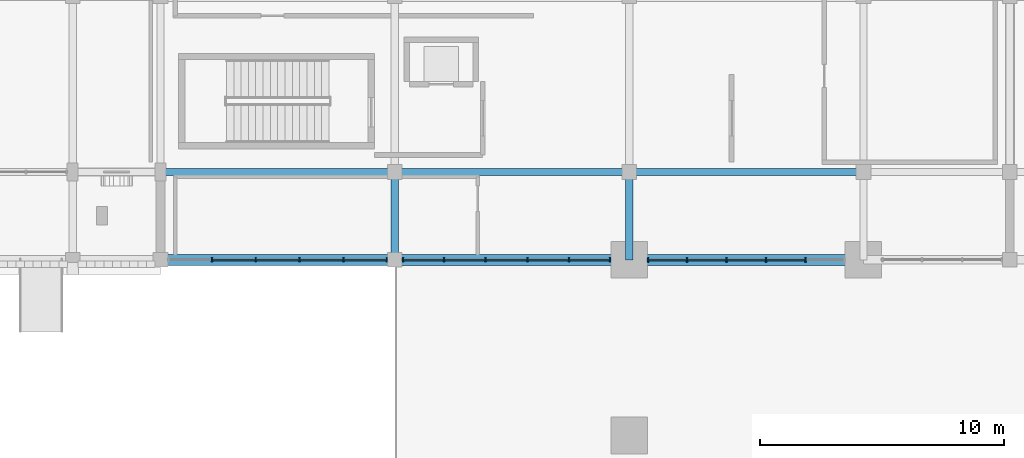
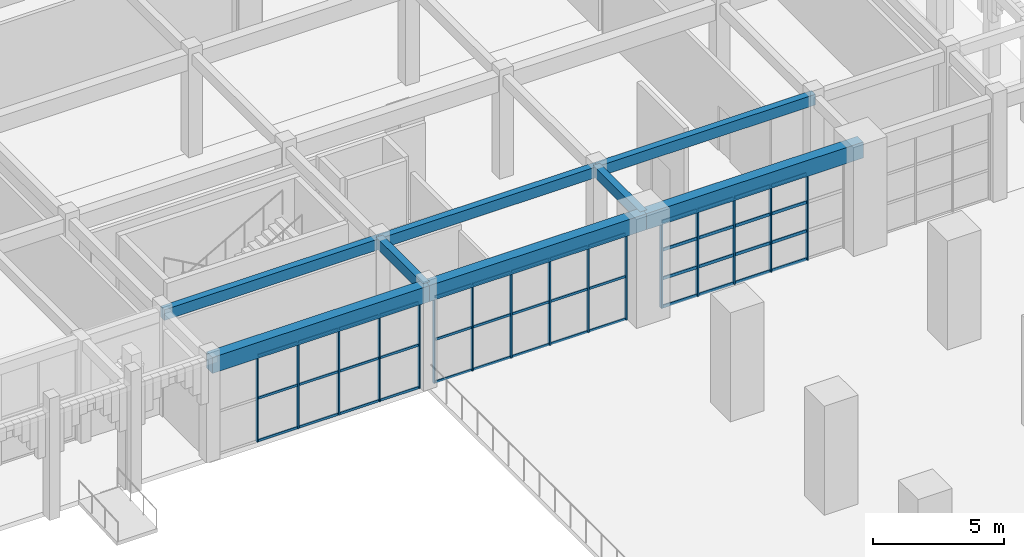
# One storey, part 21 of 72: 59 members, 8 beams, 3 elements without a shape of their own.
"""IFC4 building model written with IfcOpenShell, lengths in metres."""

import ifcopenshell
import ifcopenshell.guid

model = None  # the IFC model being written
_history = None  # IfcOwnerHistory: only IFC2X3 demands one
_inside = {}  # id of a spatial element -> (the spatial element, [elements in it])
_under = {}  # id of a project, library or spatial element -> (it, [spatial elements below it])
_declared = {}  # id of a project -> (the project, [libraries it declares])
_typed = {}  # id of a type object -> (the type object, [elements of that type])
_made_of = {}  # id of a material, layer set ... -> (it, [elements and type objects made of it])


def new_model(schema):
    """Start an empty IFC model of exactly this schema.

    Asked for "IFC4X3", IfcOpenShell would pick the latest addendum, in which some entities
    have other attributes; the version numbers below select the first issue.
    IFC2X3 requires an IfcOwnerHistory on every rooted entity: one is made here for all.
    """
    global model, _history
    if schema == "IFC4X3":
        model = ifcopenshell.file(schema_version=(4, 3, 0, 0))
    else:
        model = ifcopenshell.file(schema=schema)
    _inside.clear()
    _under.clear()
    _declared.clear()
    _typed.clear()
    _made_of.clear()
    _history = None
    if model.schema == "IFC2X3":
        org = make("IfcOrganization", Name="unknown")
        user = make(
            "IfcPersonAndOrganization",
            ThePerson=make("IfcPerson", FamilyName="unknown"),
            TheOrganization=org,
        )
        app = make(
            "IfcApplication",
            ApplicationDeveloper=org,
            Version="unknown",
            ApplicationFullName="unknown",
            ApplicationIdentifier="unknown",
        )
        _history = make(
            "IfcOwnerHistory",
            OwningUser=user,
            OwningApplication=app,
            ChangeAction="ADDED",
            CreationDate=0,
        )
    return model


def make(cls, **values):
    """One entity of the class cls with the attributes given. An attribute that is None is left unset."""
    return model.create_entity(
        cls, **{name: value for name, value in values.items() if value is not None}
    )


def rooted(cls, **values):
    """An entity with a GlobalId (a new one), such as an element, a storey or a relation."""
    return make(cls, GlobalId=ifcopenshell.guid.new(), OwnerHistory=_history, **values)


def si_unit(unit_type, name, prefix=None):
    """IfcSIUnit, for example si_unit("LENGTHUNIT", "METRE", prefix="MILLI")."""
    return make("IfcSIUnit", UnitType=unit_type, Prefix=prefix, Name=name)


def assignment(units):
    """IfcUnitAssignment: the units of a project."""
    return None if units is None else make("IfcUnitAssignment", Units=units)


def point(xyz):
    """IfcCartesianPoint."""
    return None if xyz is None else make("IfcCartesianPoint", Coordinates=xyz)


def direction(xyz):
    """IfcDirection."""
    return None if xyz is None else make("IfcDirection", DirectionRatios=xyz)


def frame(location, z_axis=None, x_axis=None):
    """IfcAxis2Placement3D, a coordinate frame: its origin and axes. An axis left out is left unset."""
    return make(
        "IfcAxis2Placement3D",
        Location=point(location),
        Axis=direction(z_axis),
        RefDirection=direction(x_axis),
    )


def frame_2d(location, x_axis=None):
    """IfcAxis2Placement2D, a coordinate frame in the plane: its origin and x axis."""
    return make(
        "IfcAxis2Placement2D", Location=point(location), RefDirection=direction(x_axis)
    )


def origin():
    """The frame at (0, 0, 0) with its axes left unset."""
    return frame((0.0, 0.0, 0.0))


def origin_2d():
    """The frame at (0, 0) in the plane with its x axis left unset."""
    return frame_2d((0.0, 0.0))


def place(relative_to, where):
    """IfcLocalPlacement: puts the frame where relative to a parent placement (None: the world)."""
    return make(
        "IfcLocalPlacement", PlacementRelTo=relative_to, RelativePlacement=where
    )


def context(
    kind, dimensions, precision=None, world=None, true_north=None, identifier=None
):
    """IfcGeometricRepresentationContext, for example the 3D "Model" context."""
    return make(
        "IfcGeometricRepresentationContext",
        ContextIdentifier=identifier,
        ContextType=kind,
        CoordinateSpaceDimension=dimensions,
        Precision=precision,
        WorldCoordinateSystem=world,
        TrueNorth=true_north,
    )


def subcontext(parent, identifier, kind, view, scale=None):
    """IfcGeometricRepresentationSubContext, for example "Body" below "Model"."""
    return make(
        "IfcGeometricRepresentationSubContext",
        ContextIdentifier=identifier,
        ContextType=kind,
        ParentContext=parent,
        TargetScale=scale,
        TargetView=view,
    )


def project(units=None, contexts=None):
    """IfcProject with its units and contexts."""
    return rooted(
        "IfcProject",
        Name="project",
        RepresentationContexts=contexts,
        UnitsInContext=assignment(units),
    )


def spatial(cls, under=None, at=None, **own):
    """A site, building, storey or space (cls), placed at a placement, below another one or the project."""
    s = rooted(cls, ObjectPlacement=at, **own)
    if under is not None:
        _under.setdefault(under.id(), (under, []))[1].append(s)
    return s


def profile(cls, at=None, kind="AREA", **sizes):
    """A parametric profile (cls). Its sizes go by their IFC names, for example OverallWidth=200.0."""
    return make(cls, ProfileType=kind, Position=at, **sizes)


def rectangle(**sizes):
    """IfcRectangleProfileDef."""
    return profile("IfcRectangleProfileDef", **sizes)


def extrude(swept, where, along, depth):
    """IfcExtrudedAreaSolid: the profile swept, set in the frame where, extruded along a direction by depth."""
    return make(
        "IfcExtrudedAreaSolid",
        SweptArea=swept,
        Position=where,
        ExtrudedDirection=direction(along),
        Depth=depth,
    )


def shape(context_of_items, identifier, shape_type, items):
    """IfcShapeRepresentation: the items that make up one representation, for example the "Body"."""
    return make(
        "IfcShapeRepresentation",
        ContextOfItems=context_of_items,
        RepresentationIdentifier=identifier,
        RepresentationType=shape_type,
        Items=items,
    )


def material(Name=None, Category=None):
    """IfcMaterial."""
    return make("IfcMaterial", Name=Name, Category=Category)


def material_profile(
    of_material, cross_section, Name=None, Category=None, Priority=None
):
    """IfcMaterialProfile: a cross section and its material."""
    return make(
        "IfcMaterialProfile",
        Name=Name,
        Material=of_material,
        Profile=cross_section,
        Priority=Priority,
        Category=Category,
    )


def profile_set(profiles, Name=None, composite=None):
    """IfcMaterialProfileSet."""
    return make(
        "IfcMaterialProfileSet",
        Name=Name,
        MaterialProfiles=profiles,
        CompositeProfile=composite,
    )


def made_of(thing, what):
    """Note that an element or type object is made of a material, layer set ...; save() writes the relation."""
    if what is not None:
        _made_of.setdefault(what.id(), (what, []))[1].append(thing)
    return thing


def type_object(cls, material=None, **own):
    """A type object (cls), such as IfcWallType, which elements share."""
    return made_of(rooted(cls, **own), material)


def element(
    cls,
    number,
    at=None,
    inside=None,
    cuts=None,
    type_object=None,
    material=None,
    context=None,
    identifier="Body",
    shape_type=None,
    held_by="IfcProductDefinitionShape",
    body=None,
    shapes=None,
    **own,
):
    """One element of the class cls, such as IfcWall. Its Tag is "e" and its number.

    at: its placement. inside: the storey or other place that contains it. cuts: it is an
    opening in that element (IfcRelVoidsElement). A single representation is given by context,
    identifier, shape_type and body (its items); several are given by shapes. held_by: the class
    of the entity that holds the representations. save() writes the other relations.
    """
    e = rooted(cls, Tag="e%d" % number, ObjectPlacement=at, **own)
    if body is not None:
        shapes = [shape(context, identifier, shape_type, body)]
    if shapes is not None:
        e.Representation = make(held_by, Representations=shapes)
    if inside is not None:
        _inside.setdefault(inside.id(), (inside, []))[1].append(e)
    if cuts is not None:
        rooted(
            "IfcRelVoidsElement", RelatingBuildingElement=cuts, RelatedOpeningElement=e
        )
    if type_object is not None:
        _typed.setdefault(type_object.id(), (type_object, []))[1].append(e)
    return made_of(e, material)


def aggregate(whole, parts):
    """IfcRelAggregates: a whole, such as a stair, and the parts it consists of."""
    return rooted("IfcRelAggregates", RelatingObject=whole, RelatedObjects=parts)


def save(model, path):
    """Write the relations noted so far, then the file.

    IfcRelAggregates (storeys below a building ...), IfcRelContainedInSpatialStructure (elements
    in a storey), IfcRelDefinesByType, IfcRelAssociatesMaterial and IfcRelDeclares: one each for
    every whole, place, type object, material and project.
    """
    for whole, parts in _under.values():
        aggregate(whole, parts)
    for where, things in _inside.values():
        rooted(
            "IfcRelContainedInSpatialStructure",
            RelatedElements=things,
            RelatingStructure=where,
        )
    for kind, things in _typed.values():
        rooted("IfcRelDefinesByType", RelatedObjects=things, RelatingType=kind)
    for what, things in _made_of.values():
        rooted("IfcRelAssociatesMaterial", RelatedObjects=things, RelatingMaterial=what)
    for by, libraries in _declared.values():
        rooted("IfcRelDeclares", RelatingContext=by, RelatedDefinitions=libraries)
    model.write(path)


model = new_model("IFC4")

# Units and contexts
model_context = context("Model", 3, precision=1e-05, world=origin(), true_north=direction((0.0, 1.0)))
body_context = subcontext(model_context, "Body", "Model", "MODEL_VIEW")
ifc_project = project(units=[si_unit("LENGTHUNIT", "METRE"), si_unit("AREAUNIT", "SQUARE_METRE"), si_unit("VOLUMEUNIT", "CUBIC_METRE"), si_unit("PLANEANGLEUNIT", "RADIAN"), si_unit("MASSUNIT", "GRAM", prefix="KILO")], contexts=[model_context])

# Site, building, storey
site_placement = place(None, origin())
site = spatial("IfcSite", under=ifc_project, at=site_placement, CompositionType="ELEMENT")
building_placement = place(site_placement, origin())
building = spatial("IfcBuilding", under=site, at=building_placement, Name="Nzembalo Square Collegiate School", CompositionType="ELEMENT")
storey_placement = place(building_placement, origin())
storey = spatial("IfcBuildingStorey", under=building, at=storey_placement, Name="L00", CompositionType="ELEMENT", Elevation=0.0)

# Beams
ifc_material_1 = material(Name="Concrete C35/45", Category="concrete")
ifc_material_profile_1 = material_profile(ifc_material_1, rectangle(XDim=0.300048828125, YDim=0.5, at=origin_2d()), Name="RC 300x500")
ifc_profile_set_1 = profile_set([ifc_material_profile_1], Name="Concrete C35/45")
beam_type_1 = type_object("IfcBeamType", Name="B02", PredefinedType="BEAM", material=ifc_profile_set_1)
for number, where, z_axis, x_axis, name in (
    (1, (140.39990234375, 79.199951171875, 4.5400390625), (0.0, 1.0, 0.0), (-1.0, 0.0, 0.0), "Beam B02 L00"),
    (2, (150.0, 79.199951171875, 4.5400390625), (0.0, 1.0, 0.0), (-1.0, 0.0, 0.0), "Beam B02 L00"),
):
    element("IfcBeam", number, at=place(storey_placement, frame(where, z_axis=z_axis, x_axis=x_axis)), inside=storey, type_object=beam_type_1, Name=name, PredefinedType="BEAM", context=body_context, shape_type="SweptSolid", body=[
        extrude(rectangle(XDim=0.300048828125, YDim=0.5, at=origin_2d()), origin(), (0.0, 0.0, 1.0), 3.60009765625),
    ])
ifc_material_2 = material(Name="Concrete C35/45", Category="concrete")
ifc_material_profile_2 = material_profile(ifc_material_2, rectangle(XDim=0.300048828125, YDim=0.5, at=origin_2d()), Name="RC 300x500")
ifc_profile_set_2 = profile_set([ifc_material_profile_2], Name="Concrete C35/45")
beam_type_2 = type_object("IfcBeamType", Name="SP01", PredefinedType="SPANDREL", material=ifc_profile_set_2)
beam_1_placement = place(storey_placement, frame((130.800048828125, 82.800048828125, 4.5400390625), z_axis=(1.0, 0.0, 0.0), x_axis=(0.0, 1.0, 0.0)))
element("IfcBeam", 3, at=beam_1_placement, inside=storey, type_object=beam_type_2, Name="Beam SP01 L00", PredefinedType="SPANDREL", context=body_context, shape_type="SweptSolid", body=[
    extrude(rectangle(XDim=0.300048828125, YDim=0.5, at=origin_2d()), origin(), (0.0, 0.0, 1.0), 9.599853515625),
])
for number, where, z_axis, x_axis, name in (
    (4, (140.39990234375, 82.800048828125, 4.5400390625), (1.0, 0.0, 0.0), (0.0, 1.0, 0.0), "Beam SP01 L00"),
    (5, (150.0, 82.800048828125, 4.5400390625), (1.0, 0.0, 0.0), (0.0, 1.0, 0.0), "Beam SP01 L00"),
):
    element("IfcBeam", number, at=place(storey_placement, frame(where, z_axis=z_axis, x_axis=x_axis)), inside=storey, type_object=beam_type_2, Name=name, PredefinedType="SPANDREL", context=body_context, shape_type="SweptSolid", body=[
        extrude(rectangle(XDim=0.300048828125, YDim=0.5, at=origin_2d()), origin(), (0.0, 0.0, 1.0), 9.60009765625),
    ])
ifc_material_3 = material(Name="Concrete C35/45", Category="concrete")
ifc_material_profile_3 = material_profile(ifc_material_3, rectangle(XDim=0.449951171875, YDim=0.75, at=origin_2d()), Name="RC 450x750")
ifc_profile_set_3 = profile_set([ifc_material_profile_3], Name="Concrete C35/45")
beam_type_3 = type_object("IfcBeamType", Name="TG01", PredefinedType="BEAM", material=ifc_profile_set_3)
beam_2_placement = place(storey_placement, frame((130.800048828125, 79.199951171875, 4.4150390625), z_axis=(1.0, 0.0, 0.0), x_axis=(0.0, 1.0, 0.0)))
element("IfcBeam", 6, at=beam_2_placement, inside=storey, type_object=beam_type_3, Name="Beam TG01 L00", PredefinedType="BEAM", context=body_context, shape_type="SweptSolid", body=[
    extrude(rectangle(XDim=0.449951171875, YDim=0.75, at=origin_2d()), origin(), (0.0, 0.0, 1.0), 9.599853515625),
])
for number, where, z_axis, x_axis, name in (
    (7, (140.39990234375, 79.199951171875, 4.4150390625), (1.0, 0.0, 0.0), (0.0, 1.0, 0.0), "Beam TG01 L00"),
    (8, (150.0, 79.199951171875, 4.4150390625), (1.0, 0.0, 0.0), (0.0, 1.0, 0.0), "Beam TG01 L00"),
):
    element("IfcBeam", number, at=place(storey_placement, frame(where, z_axis=z_axis, x_axis=x_axis)), inside=storey, type_object=beam_type_3, Name=name, PredefinedType="BEAM", context=body_context, shape_type="SweptSolid", body=[
        extrude(rectangle(XDim=0.449951171875, YDim=0.75, at=origin_2d()), origin(), (0.0, 0.0, 1.0), 9.60009765625),
    ])

# Curtain wall, members
ifc_material_4 = material(Name="Aluminium 6060-T66", Category="aluminium")
curtain_wall_type_1 = type_object("IfcCurtainWallType", Name="CW-09", PredefinedType="USERDEFINED", material=ifc_material_4)
curtain_wall_1_placement = place(storey_placement, origin())
curtain_wall_1 = element("IfcCurtainWall", 9, at=curtain_wall_1_placement, inside=storey, type_object=curtain_wall_type_1, Name="Curtain wall CW-09 cw:L00:024", ObjectType="UNITISED", PredefinedType="USERDEFINED")
ifc_material_5 = material(Name="Aluminium 6060-T66", Category="aluminium")
ifc_material_profile_4 = material_profile(ifc_material_5, rectangle(XDim=0.06005859375, YDim=0.179931640625, at=origin_2d()), Name="ALU M60x180")
ifc_profile_set_4 = profile_set([ifc_material_profile_4], Name="Aluminium 6060-T66")
member_type_1 = type_object("IfcMemberType", Name="ML01", PredefinedType="MULLION", material=ifc_profile_set_4)
member_1_placement = place(storey_placement, frame((150.781982421875, 79.199951171875, 0.0), z_axis=(0.0, 0.0, 1.0), x_axis=(1.0, 0.0, 0.0)))
member_1 = element("IfcMember", 10, at=member_1_placement, type_object=member_type_1, Name="ML01 mullion 1", PredefinedType="MULLION", context=body_context, shape_type="SweptSolid", body=[
    extrude(rectangle(XDim=0.06005859375, YDim=0.179931640625, at=origin_2d()), origin(), (0.0, 0.0, 1.0), 4.033935546875),
])
member_2_placement = place(storey_placement, frame((152.37109375, 79.199951171875, 0.0), z_axis=(0.0, 0.0, 1.0), x_axis=(1.0, 0.0, 0.0)))
member_2 = element("IfcMember", 11, at=member_2_placement, type_object=member_type_1, Name="ML01 mullion 2", PredefinedType="MULLION", context=body_context, shape_type="SweptSolid", body=[
    extrude(rectangle(XDim=0.06005859375, YDim=0.179931640625, at=origin_2d()), origin(), (0.0, 0.0, 1.0), 4.033935546875),
])
member_3_placement = place(storey_placement, frame((153.990478515625, 79.199951171875, 0.0), z_axis=(0.0, 0.0, 1.0), x_axis=(1.0, 0.0, 0.0)))
member_3 = element("IfcMember", 12, at=member_3_placement, type_object=member_type_1, Name="ML01 mullion 3", PredefinedType="MULLION", context=body_context, shape_type="SweptSolid", body=[
    extrude(rectangle(XDim=0.06005859375, YDim=0.179931640625, at=origin_2d()), origin(), (0.0, 0.0, 1.0), 4.033935546875),
])
member_4_placement = place(storey_placement, frame((155.609619140625, 79.199951171875, 0.0), z_axis=(0.0, 0.0, 1.0), x_axis=(1.0, 0.0, 0.0)))
member_4 = element("IfcMember", 13, at=member_4_placement, type_object=member_type_1, Name="ML01 mullion 4", PredefinedType="MULLION", context=body_context, shape_type="SweptSolid", body=[
    extrude(rectangle(XDim=0.06005859375, YDim=0.179931640625, at=origin_2d()), origin(), (0.0, 0.0, 1.0), 4.033935546875),
])
member_5_placement = place(storey_placement, frame((157.228759765625, 79.199951171875, 0.0), z_axis=(0.0, 0.0, 1.0), x_axis=(1.0, 0.0, 0.0)))
member_5 = element("IfcMember", 14, at=member_5_placement, type_object=member_type_1, Name="ML01 mullion 5", PredefinedType="MULLION", context=body_context, shape_type="SweptSolid", body=[
    extrude(rectangle(XDim=0.06005859375, YDim=0.179931640625, at=origin_2d()), origin(), (0.0, 0.0, 1.0), 4.033935546875),
])

ifc_material_6 = material(Name="Aluminium 6060-T66", Category="aluminium")
curtain_wall_type_2 = type_object("IfcCurtainWallType", Name="CW-11", PredefinedType="USERDEFINED", material=ifc_material_6)
curtain_wall_2_placement = place(storey_placement, origin())
curtain_wall_2 = element("IfcCurtainWall", 15, at=curtain_wall_2_placement, inside=storey, type_object=curtain_wall_type_2, Name="Curtain wall CW-11 cw:L00:022", ObjectType="LANCET", PredefinedType="USERDEFINED")
ifc_material_7 = material(Name="Aluminium 6060-T66", Category="aluminium")
ifc_material_profile_5 = material_profile(ifc_material_7, rectangle(XDim=0.06005859375, YDim=0.14990234375, at=origin_2d()), Name="ALU M60x150")
ifc_profile_set_5 = profile_set([ifc_material_profile_5], Name="Aluminium 6060-T66")
member_type_2 = type_object("IfcMemberType", Name="ML02", PredefinedType="MULLION", material=ifc_profile_set_5)
member_6_placement = place(storey_placement, frame((132.901123046875, 79.199951171875, 0.0), z_axis=(0.0, 0.0, 1.0), x_axis=(1.0, 0.0, 0.0)))
member_6 = element("IfcMember", 16, at=member_6_placement, type_object=member_type_2, Name="ML02 mullion 2", PredefinedType="MULLION", context=body_context, shape_type="SweptSolid", body=[
    extrude(rectangle(XDim=0.06005859375, YDim=0.14990234375, at=origin_2d()), origin(), (0.0, 0.0, 1.0), 4.033935546875),
])
member_7_placement = place(storey_placement, frame((134.700439453125, 79.199951171875, 0.0), z_axis=(0.0, 0.0, 1.0), x_axis=(1.0, 0.0, 0.0)))
member_7 = element("IfcMember", 17, at=member_7_placement, type_object=member_type_2, Name="ML02 mullion 3", PredefinedType="MULLION", context=body_context, shape_type="SweptSolid", body=[
    extrude(rectangle(XDim=0.06005859375, YDim=0.14990234375, at=origin_2d()), origin(), (0.0, 0.0, 1.0), 4.033935546875),
])
member_8_placement = place(storey_placement, frame((136.49951171875, 79.199951171875, 0.0), z_axis=(0.0, 0.0, 1.0), x_axis=(1.0, 0.0, 0.0)))
member_8 = element("IfcMember", 18, at=member_8_placement, type_object=member_type_2, Name="ML02 mullion 4", PredefinedType="MULLION", context=body_context, shape_type="SweptSolid", body=[
    extrude(rectangle(XDim=0.06005859375, YDim=0.14990234375, at=origin_2d()), origin(), (0.0, 0.0, 1.0), 4.033935546875),
])
member_9_placement = place(storey_placement, frame((138.298828125, 79.199951171875, 0.0), z_axis=(0.0, 0.0, 1.0), x_axis=(1.0, 0.0, 0.0)))
member_9 = element("IfcMember", 19, at=member_9_placement, type_object=member_type_2, Name="ML02 mullion 5", PredefinedType="MULLION", context=body_context, shape_type="SweptSolid", body=[
    extrude(rectangle(XDim=0.06005859375, YDim=0.14990234375, at=origin_2d()), origin(), (0.0, 0.0, 1.0), 4.033935546875),
])
member_10_placement = place(storey_placement, frame((140.068115234375, 79.199951171875, 0.0), z_axis=(0.0, 0.0, 1.0), x_axis=(1.0, 0.0, 0.0)))
member_10 = element("IfcMember", 20, at=member_10_placement, type_object=member_type_2, Name="ML02 mullion 6", PredefinedType="MULLION", context=body_context, shape_type="SweptSolid", body=[
    extrude(rectangle(XDim=0.06005859375, YDim=0.14990234375, at=origin_2d()), origin(), (0.0, 0.0, 1.0), 4.033935546875),
])

ifc_material_8 = material(Name="Aluminium 6060-T66", Category="aluminium")
curtain_wall_type_3 = type_object("IfcCurtainWallType", Name="CW-12", PredefinedType="USERDEFINED", material=ifc_material_8)
curtain_wall_3_placement = place(storey_placement, origin())
curtain_wall_3 = element("IfcCurtainWall", 21, at=curtain_wall_3_placement, inside=storey, type_object=curtain_wall_type_3, Name="Curtain wall CW-12 cw:L00:023", ObjectType="LANCET", PredefinedType="USERDEFINED")
member_11_placement = place(storey_placement, frame((140.73193359375, 79.199951171875, 0.0), z_axis=(0.0, 0.0, 1.0), x_axis=(1.0, 0.0, 0.0)))
member_11 = element("IfcMember", 22, at=member_11_placement, type_object=member_type_2, Name="ML02 mullion 1", PredefinedType="MULLION", context=body_context, shape_type="SweptSolid", body=[
    extrude(rectangle(XDim=0.06005859375, YDim=0.14990234375, at=origin_2d()), origin(), (0.0, 0.0, 1.0), 4.033935546875),
])
member_12_placement = place(storey_placement, frame((142.4111328125, 79.199951171875, 0.0), z_axis=(0.0, 0.0, 1.0), x_axis=(1.0, 0.0, 0.0)))
member_12 = element("IfcMember", 23, at=member_12_placement, type_object=member_type_2, Name="ML02 mullion 2", PredefinedType="MULLION", context=body_context, shape_type="SweptSolid", body=[
    extrude(rectangle(XDim=0.06005859375, YDim=0.14990234375, at=origin_2d()), origin(), (0.0, 0.0, 1.0), 4.033935546875),
])
member_13_placement = place(storey_placement, frame((144.120361328125, 79.199951171875, 0.0), z_axis=(0.0, 0.0, 1.0), x_axis=(1.0, 0.0, 0.0)))
member_13 = element("IfcMember", 24, at=member_13_placement, type_object=member_type_2, Name="ML02 mullion 3", PredefinedType="MULLION", context=body_context, shape_type="SweptSolid", body=[
    extrude(rectangle(XDim=0.06005859375, YDim=0.14990234375, at=origin_2d()), origin(), (0.0, 0.0, 1.0), 4.033935546875),
])
member_14_placement = place(storey_placement, frame((145.82958984375, 79.199951171875, 0.0), z_axis=(0.0, 0.0, 1.0), x_axis=(1.0, 0.0, 0.0)))
member_14 = element("IfcMember", 25, at=member_14_placement, type_object=member_type_2, Name="ML02 mullion 4", PredefinedType="MULLION", context=body_context, shape_type="SweptSolid", body=[
    extrude(rectangle(XDim=0.06005859375, YDim=0.14990234375, at=origin_2d()), origin(), (0.0, 0.0, 1.0), 4.033935546875),
])
member_15_placement = place(storey_placement, frame((147.538818359375, 79.199951171875, 0.0), z_axis=(0.0, 0.0, 1.0), x_axis=(1.0, 0.0, 0.0)))
member_15 = element("IfcMember", 26, at=member_15_placement, type_object=member_type_2, Name="ML02 mullion 5", PredefinedType="MULLION", context=body_context, shape_type="SweptSolid", body=[
    extrude(rectangle(XDim=0.06005859375, YDim=0.14990234375, at=origin_2d()), origin(), (0.0, 0.0, 1.0), 4.033935546875),
])
member_16_placement = place(storey_placement, frame((149.218017578125, 79.199951171875, 0.0), z_axis=(0.0, 0.0, 1.0), x_axis=(1.0, 0.0, 0.0)))
member_16 = element("IfcMember", 27, at=member_16_placement, type_object=member_type_2, Name="ML02 mullion 6", PredefinedType="MULLION", context=body_context, shape_type="SweptSolid", body=[
    extrude(rectangle(XDim=0.06005859375, YDim=0.14990234375, at=origin_2d()), origin(), (0.0, 0.0, 1.0), 4.033935546875),
])

# Member
ifc_material_9 = material(Name="Aluminium 6060-T66", Category="aluminium")
ifc_material_profile_6 = material_profile(ifc_material_9, rectangle(XDim=0.06005859375, YDim=0.139892578125, at=origin_2d()), Name="ALU T60x140")
ifc_profile_set_6 = profile_set([ifc_material_profile_6], Name="Aluminium 6060-T66")
member_type_3 = type_object("IfcMemberType", Name="TR01", PredefinedType="USERDEFINED", material=ifc_profile_set_6)
member_17_placement = place(storey_placement, frame((150.81201171875, 79.199951171875, 0.030029296875), z_axis=(1.0, 0.0, 0.0), x_axis=(0.0, 1.0, 0.0)))
member_17 = element("IfcMember", 28, at=member_17_placement, type_object=member_type_3, Name="TR01 transom 1-1", ObjectType="TRANSOM", PredefinedType="USERDEFINED", context=body_context, shape_type="SweptSolid", body=[
    extrude(rectangle(XDim=0.06005859375, YDim=0.139892578125, at=origin_2d()), origin(), (0.0, 0.0, 1.0), 1.529296875),
])

member_18_placement = place(storey_placement, frame((152.401123046875, 79.199951171875, 0.030029296875), z_axis=(1.0, 0.0, 0.0), x_axis=(0.0, 1.0, 0.0)))
member_18 = element("IfcMember", 29, at=member_18_placement, type_object=member_type_3, Name="TR01 transom 1-2", ObjectType="TRANSOM", PredefinedType="USERDEFINED", context=body_context, shape_type="SweptSolid", body=[
    extrude(rectangle(XDim=0.06005859375, YDim=0.139892578125, at=origin_2d()), origin(), (0.0, 0.0, 1.0), 1.559326171875),
])

member_19_placement = place(storey_placement, frame((154.0205078125, 79.199951171875, 0.030029296875), z_axis=(1.0, 0.0, 0.0), x_axis=(0.0, 1.0, 0.0)))
member_19 = element("IfcMember", 30, at=member_19_placement, type_object=member_type_3, Name="TR01 transom 1-3", ObjectType="TRANSOM", PredefinedType="USERDEFINED", context=body_context, shape_type="SweptSolid", body=[
    extrude(rectangle(XDim=0.06005859375, YDim=0.139892578125, at=origin_2d()), origin(), (0.0, 0.0, 1.0), 1.55908203125),
])

member_20_placement = place(storey_placement, frame((155.6396484375, 79.199951171875, 0.030029296875), z_axis=(1.0, 0.0, 0.0), x_axis=(0.0, 1.0, 0.0)))
member_20 = element("IfcMember", 31, at=member_20_placement, type_object=member_type_3, Name="TR01 transom 1-4", ObjectType="TRANSOM", PredefinedType="USERDEFINED", context=body_context, shape_type="SweptSolid", body=[
    extrude(rectangle(XDim=0.06005859375, YDim=0.139892578125, at=origin_2d()), origin(), (0.0, 0.0, 1.0), 1.55908203125),
])

member_21_placement = place(storey_placement, frame((150.81201171875, 79.199951171875, 1.3447265625), z_axis=(1.0, 0.0, 0.0), x_axis=(0.0, 1.0, 0.0)))
member_21 = element("IfcMember", 32, at=member_21_placement, type_object=member_type_3, Name="TR01 transom 2-1", ObjectType="TRANSOM", PredefinedType="USERDEFINED", context=body_context, shape_type="SweptSolid", body=[
    extrude(rectangle(XDim=0.06005859375, YDim=0.139892578125, at=origin_2d()), origin(), (0.0, 0.0, 1.0), 1.529296875),
])

member_22_placement = place(storey_placement, frame((152.401123046875, 79.199951171875, 1.3447265625), z_axis=(1.0, 0.0, 0.0), x_axis=(0.0, 1.0, 0.0)))
member_22 = element("IfcMember", 33, at=member_22_placement, type_object=member_type_3, Name="TR01 transom 2-2", ObjectType="TRANSOM", PredefinedType="USERDEFINED", context=body_context, shape_type="SweptSolid", body=[
    extrude(rectangle(XDim=0.06005859375, YDim=0.139892578125, at=origin_2d()), origin(), (0.0, 0.0, 1.0), 1.559326171875),
])

member_23_placement = place(storey_placement, frame((154.0205078125, 79.199951171875, 1.3447265625), z_axis=(1.0, 0.0, 0.0), x_axis=(0.0, 1.0, 0.0)))
member_23 = element("IfcMember", 34, at=member_23_placement, type_object=member_type_3, Name="TR01 transom 2-3", ObjectType="TRANSOM", PredefinedType="USERDEFINED", context=body_context, shape_type="SweptSolid", body=[
    extrude(rectangle(XDim=0.06005859375, YDim=0.139892578125, at=origin_2d()), origin(), (0.0, 0.0, 1.0), 1.55908203125),
])

member_24_placement = place(storey_placement, frame((155.6396484375, 79.199951171875, 1.3447265625), z_axis=(1.0, 0.0, 0.0), x_axis=(0.0, 1.0, 0.0)))
member_24 = element("IfcMember", 35, at=member_24_placement, type_object=member_type_3, Name="TR01 transom 2-4", ObjectType="TRANSOM", PredefinedType="USERDEFINED", context=body_context, shape_type="SweptSolid", body=[
    extrude(rectangle(XDim=0.06005859375, YDim=0.139892578125, at=origin_2d()), origin(), (0.0, 0.0, 1.0), 1.55908203125),
])

member_25_placement = place(storey_placement, frame((150.81201171875, 79.199951171875, 2.689208984375), z_axis=(1.0, 0.0, 0.0), x_axis=(0.0, 1.0, 0.0)))
member_25 = element("IfcMember", 36, at=member_25_placement, type_object=member_type_3, Name="TR01 transom 3-1", ObjectType="TRANSOM", PredefinedType="USERDEFINED", context=body_context, shape_type="SweptSolid", body=[
    extrude(rectangle(XDim=0.06005859375, YDim=0.139892578125, at=origin_2d()), origin(), (0.0, 0.0, 1.0), 1.529296875),
])

member_26_placement = place(storey_placement, frame((152.401123046875, 79.199951171875, 2.689208984375), z_axis=(1.0, 0.0, 0.0), x_axis=(0.0, 1.0, 0.0)))
member_26 = element("IfcMember", 37, at=member_26_placement, type_object=member_type_3, Name="TR01 transom 3-2", ObjectType="TRANSOM", PredefinedType="USERDEFINED", context=body_context, shape_type="SweptSolid", body=[
    extrude(rectangle(XDim=0.06005859375, YDim=0.139892578125, at=origin_2d()), origin(), (0.0, 0.0, 1.0), 1.559326171875),
])

member_27_placement = place(storey_placement, frame((154.0205078125, 79.199951171875, 2.689208984375), z_axis=(1.0, 0.0, 0.0), x_axis=(0.0, 1.0, 0.0)))
member_27 = element("IfcMember", 38, at=member_27_placement, type_object=member_type_3, Name="TR01 transom 3-3", ObjectType="TRANSOM", PredefinedType="USERDEFINED", context=body_context, shape_type="SweptSolid", body=[
    extrude(rectangle(XDim=0.06005859375, YDim=0.139892578125, at=origin_2d()), origin(), (0.0, 0.0, 1.0), 1.55908203125),
])

member_28_placement = place(storey_placement, frame((155.6396484375, 79.199951171875, 2.689208984375), z_axis=(1.0, 0.0, 0.0), x_axis=(0.0, 1.0, 0.0)))
member_28 = element("IfcMember", 39, at=member_28_placement, type_object=member_type_3, Name="TR01 transom 3-4", ObjectType="TRANSOM", PredefinedType="USERDEFINED", context=body_context, shape_type="SweptSolid", body=[
    extrude(rectangle(XDim=0.06005859375, YDim=0.139892578125, at=origin_2d()), origin(), (0.0, 0.0, 1.0), 1.55908203125),
])

member_29_placement = place(storey_placement, frame((150.81201171875, 79.199951171875, 4.00390625), z_axis=(1.0, 0.0, 0.0), x_axis=(0.0, 1.0, 0.0)))
member_29 = element("IfcMember", 40, at=member_29_placement, type_object=member_type_3, Name="TR01 transom 4-1", ObjectType="TRANSOM", PredefinedType="USERDEFINED", context=body_context, shape_type="SweptSolid", body=[
    extrude(rectangle(XDim=0.06005859375, YDim=0.139892578125, at=origin_2d()), origin(), (0.0, 0.0, 1.0), 1.529296875),
])

member_30_placement = place(storey_placement, frame((152.401123046875, 79.199951171875, 4.00390625), z_axis=(1.0, 0.0, 0.0), x_axis=(0.0, 1.0, 0.0)))
member_30 = element("IfcMember", 41, at=member_30_placement, type_object=member_type_3, Name="TR01 transom 4-2", ObjectType="TRANSOM", PredefinedType="USERDEFINED", context=body_context, shape_type="SweptSolid", body=[
    extrude(rectangle(XDim=0.06005859375, YDim=0.139892578125, at=origin_2d()), origin(), (0.0, 0.0, 1.0), 1.559326171875),
])

member_31_placement = place(storey_placement, frame((154.0205078125, 79.199951171875, 4.00390625), z_axis=(1.0, 0.0, 0.0), x_axis=(0.0, 1.0, 0.0)))
member_31 = element("IfcMember", 42, at=member_31_placement, type_object=member_type_3, Name="TR01 transom 4-3", ObjectType="TRANSOM", PredefinedType="USERDEFINED", context=body_context, shape_type="SweptSolid", body=[
    extrude(rectangle(XDim=0.06005859375, YDim=0.139892578125, at=origin_2d()), origin(), (0.0, 0.0, 1.0), 1.55908203125),
])

member_32_placement = place(storey_placement, frame((155.6396484375, 79.199951171875, 4.00390625), z_axis=(1.0, 0.0, 0.0), x_axis=(0.0, 1.0, 0.0)))
member_32 = element("IfcMember", 43, at=member_32_placement, type_object=member_type_3, Name="TR01 transom 4-4", ObjectType="TRANSOM", PredefinedType="USERDEFINED", context=body_context, shape_type="SweptSolid", body=[
    extrude(rectangle(XDim=0.06005859375, YDim=0.139892578125, at=origin_2d()), origin(), (0.0, 0.0, 1.0), 1.55908203125),
])

aggregate(curtain_wall_1, [member_1, member_2, member_3, member_4, member_5, member_17, member_18, member_19, member_20, member_21, member_22, member_23, member_24, member_25, member_26, member_27, member_28, member_29, member_30, member_31, member_32])

ifc_material_10 = material(Name="Aluminium 6060-T66", Category="aluminium")
ifc_material_profile_7 = material_profile(ifc_material_10, rectangle(XDim=0.06005859375, YDim=0.110107421875, at=origin_2d()), Name="ALU T60x110")
ifc_profile_set_7 = profile_set([ifc_material_profile_7], Name="Aluminium 6060-T66")
member_type_4 = type_object("IfcMemberType", Name="TR02", PredefinedType="USERDEFINED", material=ifc_profile_set_7)
member_33_placement = place(storey_placement, frame((132.93115234375, 79.199951171875, 0.030029296875), z_axis=(1.0, 0.0, 0.0), x_axis=(0.0, 1.0, 0.0)))
member_33 = element("IfcMember", 44, at=member_33_placement, type_object=member_type_4, Name="TR02 transom 1-2", ObjectType="TRANSOM", PredefinedType="USERDEFINED", context=body_context, shape_type="SweptSolid", body=[
    extrude(rectangle(XDim=0.06005859375, YDim=0.110107421875, at=origin_2d()), origin(), (0.0, 0.0, 1.0), 1.7392578125),
])

member_34_placement = place(storey_placement, frame((134.73046875, 79.199951171875, 0.030029296875), z_axis=(1.0, 0.0, 0.0), x_axis=(0.0, 1.0, 0.0)))
member_34 = element("IfcMember", 45, at=member_34_placement, type_object=member_type_4, Name="TR02 transom 1-3", ObjectType="TRANSOM", PredefinedType="USERDEFINED", context=body_context, shape_type="SweptSolid", body=[
    extrude(rectangle(XDim=0.06005859375, YDim=0.110107421875, at=origin_2d()), origin(), (0.0, 0.0, 1.0), 1.739013671875),
])

member_35_placement = place(storey_placement, frame((136.529541015625, 79.199951171875, 0.030029296875), z_axis=(1.0, 0.0, 0.0), x_axis=(0.0, 1.0, 0.0)))
member_35 = element("IfcMember", 46, at=member_35_placement, type_object=member_type_4, Name="TR02 transom 1-4", ObjectType="TRANSOM", PredefinedType="USERDEFINED", context=body_context, shape_type="SweptSolid", body=[
    extrude(rectangle(XDim=0.06005859375, YDim=0.110107421875, at=origin_2d()), origin(), (0.0, 0.0, 1.0), 1.7392578125),
])

member_36_placement = place(storey_placement, frame((138.328857421875, 79.199951171875, 0.030029296875), z_axis=(1.0, 0.0, 0.0), x_axis=(0.0, 1.0, 0.0)))
member_36 = element("IfcMember", 47, at=member_36_placement, type_object=member_type_4, Name="TR02 transom 1-5", ObjectType="TRANSOM", PredefinedType="USERDEFINED", context=body_context, shape_type="SweptSolid", body=[
    extrude(rectangle(XDim=0.06005859375, YDim=0.110107421875, at=origin_2d()), origin(), (0.0, 0.0, 1.0), 1.709228515625),
])

member_37_placement = place(storey_placement, frame((132.93115234375, 79.199951171875, 2.01708984375), z_axis=(1.0, 0.0, 0.0), x_axis=(0.0, 1.0, 0.0)))
member_37 = element("IfcMember", 48, at=member_37_placement, type_object=member_type_4, Name="TR02 transom 2-2", ObjectType="TRANSOM", PredefinedType="USERDEFINED", context=body_context, shape_type="SweptSolid", body=[
    extrude(rectangle(XDim=0.06005859375, YDim=0.110107421875, at=origin_2d()), origin(), (0.0, 0.0, 1.0), 1.7392578125),
])

member_38_placement = place(storey_placement, frame((134.73046875, 79.199951171875, 2.01708984375), z_axis=(1.0, 0.0, 0.0), x_axis=(0.0, 1.0, 0.0)))
member_38 = element("IfcMember", 49, at=member_38_placement, type_object=member_type_4, Name="TR02 transom 2-3", ObjectType="TRANSOM", PredefinedType="USERDEFINED", context=body_context, shape_type="SweptSolid", body=[
    extrude(rectangle(XDim=0.06005859375, YDim=0.110107421875, at=origin_2d()), origin(), (0.0, 0.0, 1.0), 1.739013671875),
])

member_39_placement = place(storey_placement, frame((136.529541015625, 79.199951171875, 2.01708984375), z_axis=(1.0, 0.0, 0.0), x_axis=(0.0, 1.0, 0.0)))
member_39 = element("IfcMember", 50, at=member_39_placement, type_object=member_type_4, Name="TR02 transom 2-4", ObjectType="TRANSOM", PredefinedType="USERDEFINED", context=body_context, shape_type="SweptSolid", body=[
    extrude(rectangle(XDim=0.06005859375, YDim=0.110107421875, at=origin_2d()), origin(), (0.0, 0.0, 1.0), 1.7392578125),
])

member_40_placement = place(storey_placement, frame((138.328857421875, 79.199951171875, 2.01708984375), z_axis=(1.0, 0.0, 0.0), x_axis=(0.0, 1.0, 0.0)))
member_40 = element("IfcMember", 51, at=member_40_placement, type_object=member_type_4, Name="TR02 transom 2-5", ObjectType="TRANSOM", PredefinedType="USERDEFINED", context=body_context, shape_type="SweptSolid", body=[
    extrude(rectangle(XDim=0.06005859375, YDim=0.110107421875, at=origin_2d()), origin(), (0.0, 0.0, 1.0), 1.709228515625),
])

member_41_placement = place(storey_placement, frame((132.93115234375, 79.199951171875, 4.00390625), z_axis=(1.0, 0.0, 0.0), x_axis=(0.0, 1.0, 0.0)))
member_41 = element("IfcMember", 52, at=member_41_placement, type_object=member_type_4, Name="TR02 transom 3-2", ObjectType="TRANSOM", PredefinedType="USERDEFINED", context=body_context, shape_type="SweptSolid", body=[
    extrude(rectangle(XDim=0.06005859375, YDim=0.110107421875, at=origin_2d()), origin(), (0.0, 0.0, 1.0), 1.7392578125),
])

member_42_placement = place(storey_placement, frame((134.73046875, 79.199951171875, 4.00390625), z_axis=(1.0, 0.0, 0.0), x_axis=(0.0, 1.0, 0.0)))
member_42 = element("IfcMember", 53, at=member_42_placement, type_object=member_type_4, Name="TR02 transom 3-3", ObjectType="TRANSOM", PredefinedType="USERDEFINED", context=body_context, shape_type="SweptSolid", body=[
    extrude(rectangle(XDim=0.06005859375, YDim=0.110107421875, at=origin_2d()), origin(), (0.0, 0.0, 1.0), 1.739013671875),
])

member_43_placement = place(storey_placement, frame((136.529541015625, 79.199951171875, 4.00390625), z_axis=(1.0, 0.0, 0.0), x_axis=(0.0, 1.0, 0.0)))
member_43 = element("IfcMember", 54, at=member_43_placement, type_object=member_type_4, Name="TR02 transom 3-4", ObjectType="TRANSOM", PredefinedType="USERDEFINED", context=body_context, shape_type="SweptSolid", body=[
    extrude(rectangle(XDim=0.06005859375, YDim=0.110107421875, at=origin_2d()), origin(), (0.0, 0.0, 1.0), 1.7392578125),
])

member_44_placement = place(storey_placement, frame((138.328857421875, 79.199951171875, 4.00390625), z_axis=(1.0, 0.0, 0.0), x_axis=(0.0, 1.0, 0.0)))
member_44 = element("IfcMember", 55, at=member_44_placement, type_object=member_type_4, Name="TR02 transom 3-5", ObjectType="TRANSOM", PredefinedType="USERDEFINED", context=body_context, shape_type="SweptSolid", body=[
    extrude(rectangle(XDim=0.06005859375, YDim=0.110107421875, at=origin_2d()), origin(), (0.0, 0.0, 1.0), 1.709228515625),
])

aggregate(curtain_wall_2, [member_6, member_7, member_8, member_9, member_10, member_33, member_34, member_35, member_36, member_37, member_38, member_39, member_40, member_41, member_42, member_43, member_44])

member_45_placement = place(storey_placement, frame((140.761962890625, 79.199951171875, 0.030029296875), z_axis=(1.0, 0.0, 0.0), x_axis=(0.0, 1.0, 0.0)))
member_45 = element("IfcMember", 56, at=member_45_placement, type_object=member_type_4, Name="TR02 transom 1-1", ObjectType="TRANSOM", PredefinedType="USERDEFINED", context=body_context, shape_type="SweptSolid", body=[
    extrude(rectangle(XDim=0.06005859375, YDim=0.110107421875, at=origin_2d()), origin(), (0.0, 0.0, 1.0), 1.619140625),
])

member_46_placement = place(storey_placement, frame((142.441162109375, 79.199951171875, 0.030029296875), z_axis=(1.0, 0.0, 0.0), x_axis=(0.0, 1.0, 0.0)))
member_46 = element("IfcMember", 57, at=member_46_placement, type_object=member_type_4, Name="TR02 transom 1-2", ObjectType="TRANSOM", PredefinedType="USERDEFINED", context=body_context, shape_type="SweptSolid", body=[
    extrude(rectangle(XDim=0.06005859375, YDim=0.110107421875, at=origin_2d()), origin(), (0.0, 0.0, 1.0), 1.649169921875),
])

member_47_placement = place(storey_placement, frame((144.150390625, 79.199951171875, 0.030029296875), z_axis=(1.0, 0.0, 0.0), x_axis=(0.0, 1.0, 0.0)))
member_47 = element("IfcMember", 58, at=member_47_placement, type_object=member_type_4, Name="TR02 transom 1-3", ObjectType="TRANSOM", PredefinedType="USERDEFINED", context=body_context, shape_type="SweptSolid", body=[
    extrude(rectangle(XDim=0.06005859375, YDim=0.110107421875, at=origin_2d()), origin(), (0.0, 0.0, 1.0), 1.649169921875),
])

member_48_placement = place(storey_placement, frame((145.859619140625, 79.199951171875, 0.030029296875), z_axis=(1.0, 0.0, 0.0), x_axis=(0.0, 1.0, 0.0)))
member_48 = element("IfcMember", 59, at=member_48_placement, type_object=member_type_4, Name="TR02 transom 1-4", ObjectType="TRANSOM", PredefinedType="USERDEFINED", context=body_context, shape_type="SweptSolid", body=[
    extrude(rectangle(XDim=0.06005859375, YDim=0.110107421875, at=origin_2d()), origin(), (0.0, 0.0, 1.0), 1.649169921875),
])

member_49_placement = place(storey_placement, frame((147.56884765625, 79.199951171875, 0.030029296875), z_axis=(1.0, 0.0, 0.0), x_axis=(0.0, 1.0, 0.0)))
member_49 = element("IfcMember", 60, at=member_49_placement, type_object=member_type_4, Name="TR02 transom 1-5", ObjectType="TRANSOM", PredefinedType="USERDEFINED", context=body_context, shape_type="SweptSolid", body=[
    extrude(rectangle(XDim=0.06005859375, YDim=0.110107421875, at=origin_2d()), origin(), (0.0, 0.0, 1.0), 1.619140625),
])

member_50_placement = place(storey_placement, frame((140.761962890625, 79.199951171875, 2.01708984375), z_axis=(1.0, 0.0, 0.0), x_axis=(0.0, 1.0, 0.0)))
member_50 = element("IfcMember", 61, at=member_50_placement, type_object=member_type_4, Name="TR02 transom 2-1", ObjectType="TRANSOM", PredefinedType="USERDEFINED", context=body_context, shape_type="SweptSolid", body=[
    extrude(rectangle(XDim=0.06005859375, YDim=0.110107421875, at=origin_2d()), origin(), (0.0, 0.0, 1.0), 1.619140625),
])

member_51_placement = place(storey_placement, frame((142.441162109375, 79.199951171875, 2.01708984375), z_axis=(1.0, 0.0, 0.0), x_axis=(0.0, 1.0, 0.0)))
member_51 = element("IfcMember", 62, at=member_51_placement, type_object=member_type_4, Name="TR02 transom 2-2", ObjectType="TRANSOM", PredefinedType="USERDEFINED", context=body_context, shape_type="SweptSolid", body=[
    extrude(rectangle(XDim=0.06005859375, YDim=0.110107421875, at=origin_2d()), origin(), (0.0, 0.0, 1.0), 1.649169921875),
])

member_52_placement = place(storey_placement, frame((144.150390625, 79.199951171875, 2.01708984375), z_axis=(1.0, 0.0, 0.0), x_axis=(0.0, 1.0, 0.0)))
member_52 = element("IfcMember", 63, at=member_52_placement, type_object=member_type_4, Name="TR02 transom 2-3", ObjectType="TRANSOM", PredefinedType="USERDEFINED", context=body_context, shape_type="SweptSolid", body=[
    extrude(rectangle(XDim=0.06005859375, YDim=0.110107421875, at=origin_2d()), origin(), (0.0, 0.0, 1.0), 1.649169921875),
])

member_53_placement = place(storey_placement, frame((145.859619140625, 79.199951171875, 2.01708984375), z_axis=(1.0, 0.0, 0.0), x_axis=(0.0, 1.0, 0.0)))
member_53 = element("IfcMember", 64, at=member_53_placement, type_object=member_type_4, Name="TR02 transom 2-4", ObjectType="TRANSOM", PredefinedType="USERDEFINED", context=body_context, shape_type="SweptSolid", body=[
    extrude(rectangle(XDim=0.06005859375, YDim=0.110107421875, at=origin_2d()), origin(), (0.0, 0.0, 1.0), 1.649169921875),
])

member_54_placement = place(storey_placement, frame((147.56884765625, 79.199951171875, 2.01708984375), z_axis=(1.0, 0.0, 0.0), x_axis=(0.0, 1.0, 0.0)))
member_54 = element("IfcMember", 65, at=member_54_placement, type_object=member_type_4, Name="TR02 transom 2-5", ObjectType="TRANSOM", PredefinedType="USERDEFINED", context=body_context, shape_type="SweptSolid", body=[
    extrude(rectangle(XDim=0.06005859375, YDim=0.110107421875, at=origin_2d()), origin(), (0.0, 0.0, 1.0), 1.619140625),
])

member_55_placement = place(storey_placement, frame((140.761962890625, 79.199951171875, 4.00390625), z_axis=(1.0, 0.0, 0.0), x_axis=(0.0, 1.0, 0.0)))
member_55 = element("IfcMember", 66, at=member_55_placement, type_object=member_type_4, Name="TR02 transom 3-1", ObjectType="TRANSOM", PredefinedType="USERDEFINED", context=body_context, shape_type="SweptSolid", body=[
    extrude(rectangle(XDim=0.06005859375, YDim=0.110107421875, at=origin_2d()), origin(), (0.0, 0.0, 1.0), 1.619140625),
])

member_56_placement = place(storey_placement, frame((142.441162109375, 79.199951171875, 4.00390625), z_axis=(1.0, 0.0, 0.0), x_axis=(0.0, 1.0, 0.0)))
member_56 = element("IfcMember", 67, at=member_56_placement, type_object=member_type_4, Name="TR02 transom 3-2", ObjectType="TRANSOM", PredefinedType="USERDEFINED", context=body_context, shape_type="SweptSolid", body=[
    extrude(rectangle(XDim=0.06005859375, YDim=0.110107421875, at=origin_2d()), origin(), (0.0, 0.0, 1.0), 1.649169921875),
])

member_57_placement = place(storey_placement, frame((144.150390625, 79.199951171875, 4.00390625), z_axis=(1.0, 0.0, 0.0), x_axis=(0.0, 1.0, 0.0)))
member_57 = element("IfcMember", 68, at=member_57_placement, type_object=member_type_4, Name="TR02 transom 3-3", ObjectType="TRANSOM", PredefinedType="USERDEFINED", context=body_context, shape_type="SweptSolid", body=[
    extrude(rectangle(XDim=0.06005859375, YDim=0.110107421875, at=origin_2d()), origin(), (0.0, 0.0, 1.0), 1.649169921875),
])

member_58_placement = place(storey_placement, frame((145.859619140625, 79.199951171875, 4.00390625), z_axis=(1.0, 0.0, 0.0), x_axis=(0.0, 1.0, 0.0)))
member_58 = element("IfcMember", 69, at=member_58_placement, type_object=member_type_4, Name="TR02 transom 3-4", ObjectType="TRANSOM", PredefinedType="USERDEFINED", context=body_context, shape_type="SweptSolid", body=[
    extrude(rectangle(XDim=0.06005859375, YDim=0.110107421875, at=origin_2d()), origin(), (0.0, 0.0, 1.0), 1.649169921875),
])

member_59_placement = place(storey_placement, frame((147.56884765625, 79.199951171875, 4.00390625), z_axis=(1.0, 0.0, 0.0), x_axis=(0.0, 1.0, 0.0)))
member_59 = element("IfcMember", 70, at=member_59_placement, type_object=member_type_4, Name="TR02 transom 3-5", ObjectType="TRANSOM", PredefinedType="USERDEFINED", context=body_context, shape_type="SweptSolid", body=[
    extrude(rectangle(XDim=0.06005859375, YDim=0.110107421875, at=origin_2d()), origin(), (0.0, 0.0, 1.0), 1.619140625),
])

aggregate(curtain_wall_3, [member_11, member_12, member_13, member_14, member_15, member_16, member_45, member_46, member_47, member_48, member_49, member_50, member_51, member_52, member_53, member_54, member_55, member_56, member_57, member_58, member_59])

save(model, "model.ifc")
